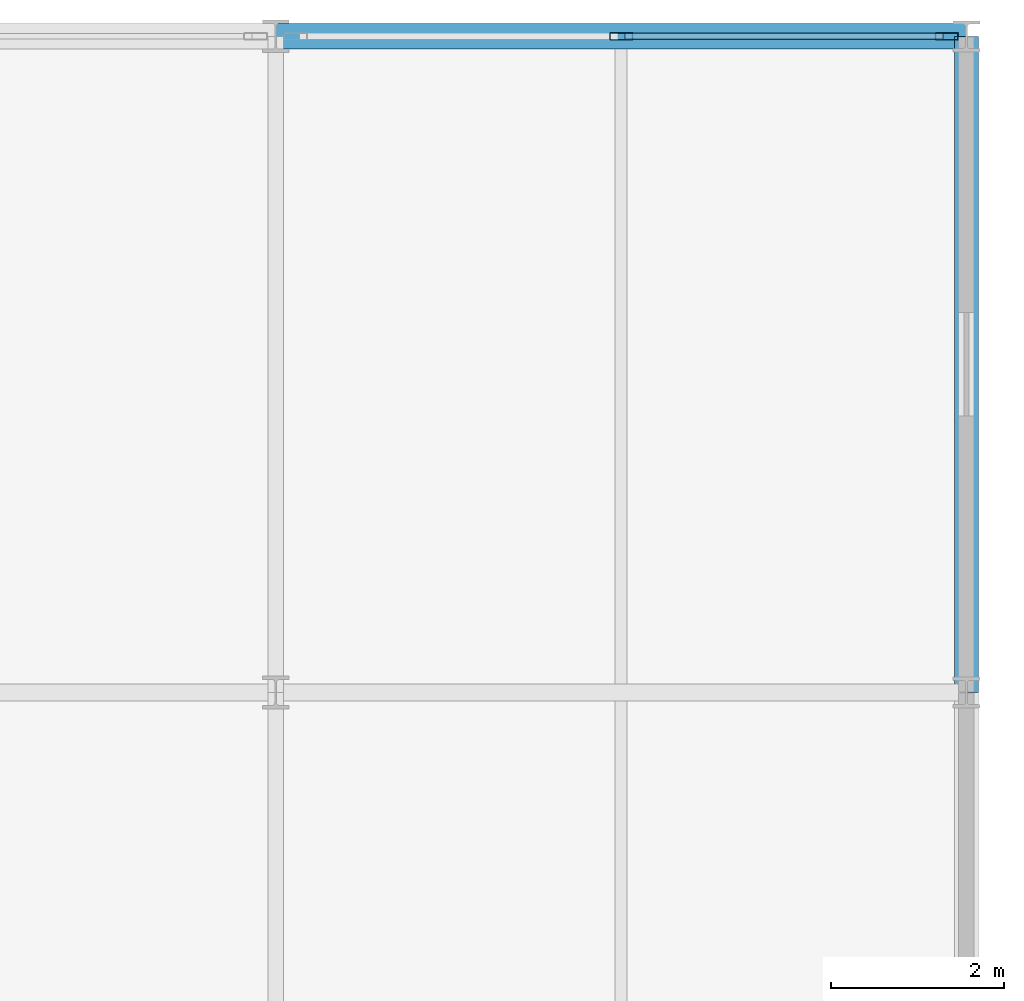
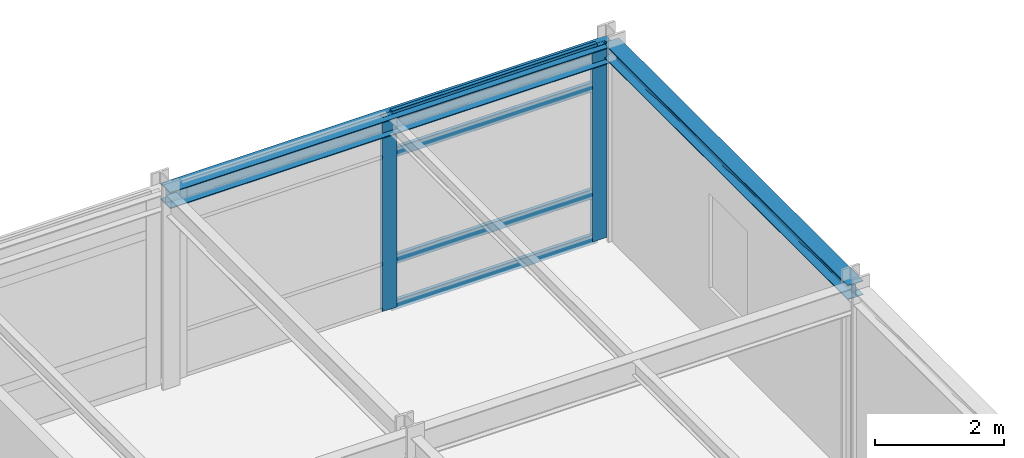
# One storey, part 9 of 15: 6 members, 2 beams, 1 element without a shape of its own.
"""IFC4 building model written with IfcOpenShell, lengths in metres."""

from ifc_helpers import new_model, si_unit, direction, frame, origin, origin_2d, place, context, subcontext, project, spatial, hollow_rectangle, i_section, extrude, material, layer, layer_set, material_profile, profile_set, type_object, element, aggregate, save


model = new_model("IFC4")

# Units and contexts
model_context = context("Model", 3, precision=1e-05, world=origin(), true_north=direction((0.0, 1.0)))
body_context = subcontext(model_context, "Body", "Model", "MODEL_VIEW")
ifc_project = project(units=[si_unit("LENGTHUNIT", "METRE"), si_unit("AREAUNIT", "SQUARE_METRE"), si_unit("VOLUMEUNIT", "CUBIC_METRE"), si_unit("PLANEANGLEUNIT", "RADIAN"), si_unit("MASSUNIT", "GRAM", prefix="KILO")], contexts=[model_context])

# Site, building, storey
site_placement = place(None, origin())
site = spatial("IfcSite", under=ifc_project, at=site_placement, CompositionType="ELEMENT")
building_placement = place(site_placement, origin())
building = spatial("IfcBuilding", under=site, at=building_placement, Name="Shalkamar Park Central Library", CompositionType="ELEMENT")
storey_placement = place(building_placement, frame((0.0, 0.0, 39.89990234375)))
storey = spatial("IfcBuildingStorey", under=building, at=storey_placement, Name="L10", CompositionType="ELEMENT", Elevation=39.89990234375)

# Curtain wall, members
ifc_material_1 = material(Name="Thermally broken aluminium and triple low-e curtain wall", Category="aluminium")
ifc_layer = layer(ifc_material_1, 0.264892578125)
ifc_layer_set = layer_set([ifc_layer], Name="UnitisedCurtainWall_77")
curtain_wall_type = type_object("IfcCurtainWallType", Name="Unitised Curtain Wall 77", PredefinedType="USERDEFINED", material=ifc_layer_set)
curtain_wall_placement = place(storey_placement, origin())
curtain_wall = element("IfcCurtainWall", 1, at=curtain_wall_placement, inside=storey, type_object=curtain_wall_type, Name="Unitised Curtain Wall CW-L10-125", ObjectType="UNITISED CURTAIN WALL", PredefinedType="USERDEFINED")
ifc_material_2 = material(Name="Aluminium 6060-T66", Category="aluminium")
ifc_material_profile_1 = material_profile(ifc_material_2, hollow_rectangle(XDim=0.0849609375, YDim=0.264892578125, WallThickness=0.0048828125, InnerFilletRadius=0.0048828125, OuterFilletRadius=0.007568359375, at=origin_2d()), Name="ALU 85x265x5")
ifc_profile_set_1 = profile_set([ifc_material_profile_1], Name="Aluminium 6060-T66")
member_type_1 = type_object("IfcMemberType", Name="Curtain Wall Mullion ALU85x265", PredefinedType="MULLION", material=ifc_profile_set_1)
member_1_placement = place(storey_placement, frame((217.00439453125, 285.60009765625, 0.0), z_axis=(0.0, 0.0, 1.0), x_axis=(0.0, 1.0, 0.0)))
member_1 = element("IfcMember", 2, at=member_1_placement, type_object=member_type_1, Name="CW-77 mullion 2", PredefinedType="MULLION", context=body_context, shape_type="SweptSolid", body=[
    extrude(hollow_rectangle(XDim=0.0849609375, YDim=0.264892578125, WallThickness=0.0048828125, InnerFilletRadius=0.0048828125, OuterFilletRadius=0.007568359375, at=origin_2d()), origin(), (0.0, 0.0, 1.0), 3.68017578125),
])
member_2_placement = place(storey_placement, frame((220.77392578125, 285.60009765625, 0.0), z_axis=(0.0, 0.0, 1.0), x_axis=(0.0, 1.0, 0.0)))
member_2 = element("IfcMember", 3, at=member_2_placement, type_object=member_type_1, Name="CW-77 mullion 3", PredefinedType="MULLION", context=body_context, shape_type="SweptSolid", body=[
    extrude(hollow_rectangle(XDim=0.0849609375, YDim=0.264892578125, WallThickness=0.0048828125, InnerFilletRadius=0.0048828125, OuterFilletRadius=0.007568359375, at=origin_2d()), origin(), (0.0, 0.0, 1.0), 3.68017578125),
])
ifc_material_profile_2 = material_profile(ifc_material_2, hollow_rectangle(XDim=0.070068359375, YDim=0.179931640625, WallThickness=0.00439453125, InnerFilletRadius=0.00439453125, OuterFilletRadius=0.0068359375, at=origin_2d()), Name="ALU 70x180x4.5")
ifc_profile_set_2 = profile_set([ifc_material_profile_2], Name="Aluminium 6060-T66")
member_type_2 = type_object("IfcMemberType", Name="Curtain Wall Transom ALU70x180", PredefinedType="USERDEFINED", material=ifc_profile_set_2)
member_3_placement = place(storey_placement, frame((217.047119140625, 285.60009765625, 0.03515625), z_axis=(1.0, 0.0, 0.0), x_axis=(0.0, 1.0, 0.0)))
member_3 = element("IfcMember", 4, at=member_3_placement, type_object=member_type_2, Name="CW-77 transom 2.1", ObjectType="TRANSOM", PredefinedType="USERDEFINED", context=body_context, shape_type="SweptSolid", body=[
    extrude(hollow_rectangle(XDim=0.070068359375, YDim=0.179931640625, WallThickness=0.00439453125, InnerFilletRadius=0.00439453125, OuterFilletRadius=0.0068359375, at=origin_2d()), origin(), (0.0, 0.0, 1.0), 3.684326171875),
])
member_4_placement = place(storey_placement, frame((217.047119140625, 285.60009765625, 0.900146484375), z_axis=(1.0, 0.0, 0.0), x_axis=(0.0, 1.0, 0.0)))
member_4 = element("IfcMember", 5, at=member_4_placement, type_object=member_type_2, Name="CW-77 transom 2.2", ObjectType="TRANSOM", PredefinedType="USERDEFINED", context=body_context, shape_type="SweptSolid", body=[
    extrude(hollow_rectangle(XDim=0.070068359375, YDim=0.179931640625, WallThickness=0.00439453125, InnerFilletRadius=0.00439453125, OuterFilletRadius=0.0068359375, at=origin_2d()), origin(), (0.0, 0.0, 1.0), 3.684326171875),
])
member_5_placement = place(storey_placement, frame((217.047119140625, 285.60009765625, 2.93017578125), z_axis=(1.0, 0.0, 0.0), x_axis=(0.0, 1.0, 0.0)))
member_5 = element("IfcMember", 6, at=member_5_placement, type_object=member_type_2, Name="CW-77 transom 2.3", ObjectType="TRANSOM", PredefinedType="USERDEFINED", context=body_context, shape_type="SweptSolid", body=[
    extrude(hollow_rectangle(XDim=0.070068359375, YDim=0.179931640625, WallThickness=0.00439453125, InnerFilletRadius=0.00439453125, OuterFilletRadius=0.0068359375, at=origin_2d()), origin(), (0.0, 0.0, 1.0), 3.684326171875),
])
member_6_placement = place(storey_placement, frame((217.047119140625, 285.60009765625, 3.64501953125), z_axis=(1.0, 0.0, 0.0), x_axis=(0.0, 1.0, 0.0)))
member_6 = element("IfcMember", 7, at=member_6_placement, type_object=member_type_2, Name="CW-77 transom 2.4", ObjectType="TRANSOM", PredefinedType="USERDEFINED", context=body_context, shape_type="SweptSolid", body=[
    extrude(hollow_rectangle(XDim=0.070068359375, YDim=0.179931640625, WallThickness=0.00439453125, InnerFilletRadius=0.00439453125, OuterFilletRadius=0.0068359375, at=origin_2d()), origin(), (0.0, 0.0, 1.0), 3.684326171875),
])
aggregate(curtain_wall, [member_1, member_2, member_3, member_4, member_5, member_6])

# Beams
ifc_material_3 = material(Name="Steel S355", Category="steel")
ifc_material_profile_3 = material_profile(ifc_material_3, i_section(OverallWidth=0.280029296875, OverallDepth=0.27001953125, WebThickness=0.008056640625, FlangeThickness=0.012939453125, FilletRadius=0.02392578125, at=origin_2d()), Name="HEA 280")
ifc_profile_set_3 = profile_set([ifc_material_profile_3], Name="Steel S355")
beam_type_1 = type_object("IfcBeamType", Name="Perimeter Spandrel Beam HEA280", PredefinedType="SPANDREL", material=ifc_profile_set_3)
beam_1_placement = place(storey_placement, frame((221.0, 278.0, 3.545166015625), z_axis=(0.0, 1.0, 0.0), x_axis=(-1.0, 0.0, 0.0)))
element("IfcBeam", 8, at=beam_1_placement, inside=storey, type_object=beam_type_1, Name="Beam 14:F-G (L10)", PredefinedType="SPANDREL", context=body_context, shape_type="SweptSolid", body=[
    extrude(i_section(OverallWidth=0.280029296875, OverallDepth=0.27001953125, WebThickness=0.008056640625, FlangeThickness=0.012939453125, FilletRadius=0.02392578125, at=origin_2d()), origin(), (0.0, 0.0, 1.0), 7.60009765625),
])
ifc_material_profile_4 = material_profile(ifc_material_3, i_section(OverallWidth=0.300048828125, OverallDepth=0.31005859375, WebThickness=0.009033203125, FlangeThickness=0.015380859375, FilletRadius=0.027099609375, at=origin_2d()), Name="HEA 320")
ifc_profile_set_4 = profile_set([ifc_material_profile_4], Name="Steel S355")
beam_type_2 = type_object("IfcBeamType", Name="Perimeter Spandrel Beam HEA320", PredefinedType="SPANDREL", material=ifc_profile_set_4)
beam_2_placement = place(storey_placement, frame((213.0, 285.60009765625, 3.525146484375), z_axis=(1.0, 0.0, 0.0), x_axis=(0.0, 1.0, 0.0)))
element("IfcBeam", 9, at=beam_2_placement, inside=storey, type_object=beam_type_2, Name="Beam G:13-14 (L10)", PredefinedType="SPANDREL", context=body_context, shape_type="SweptSolid", body=[
    extrude(i_section(OverallWidth=0.300048828125, OverallDepth=0.31005859375, WebThickness=0.009033203125, FlangeThickness=0.015380859375, FilletRadius=0.027099609375, at=origin_2d()), origin(), (0.0, 0.0, 1.0), 8.0),
])

save(model, "model.ifc")
